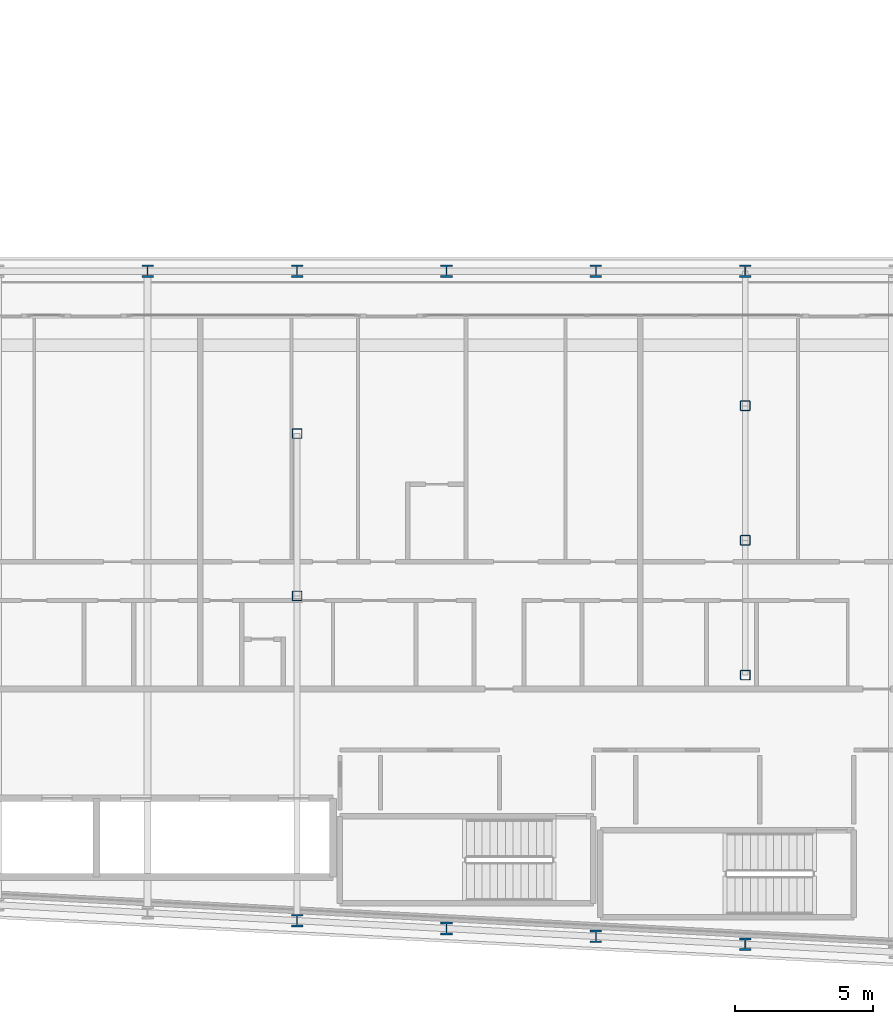
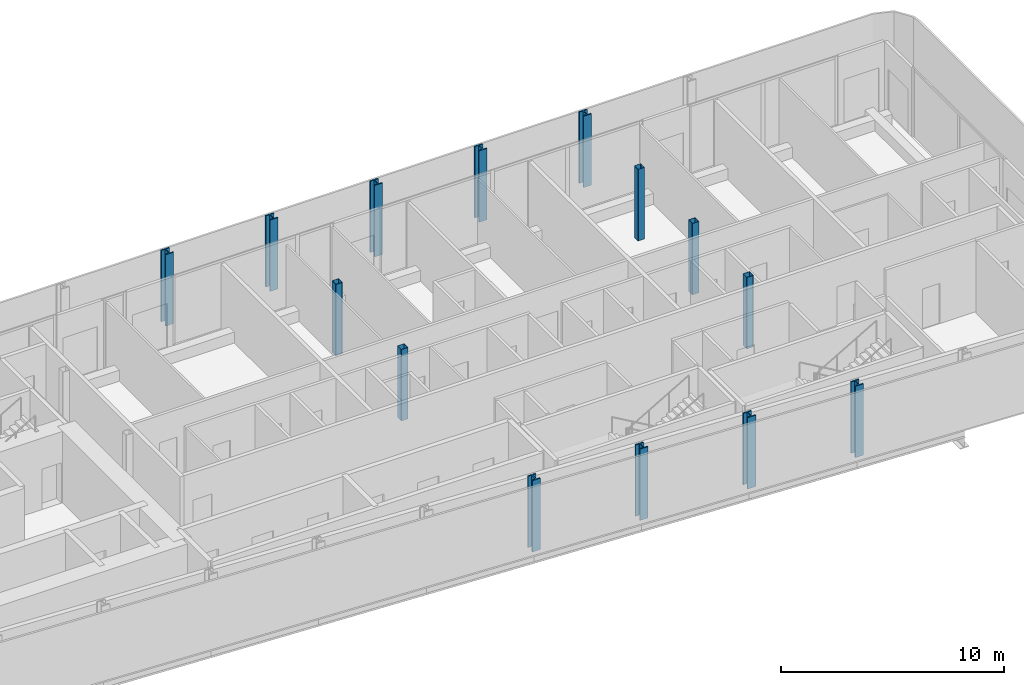
# One storey, part 2 of 28: 14 columns.
"""IFC4 building model written with IfcOpenShell, lengths in metres."""

from ifc_helpers import new_model, si_unit, direction, frame, origin, origin_2d, place, context, subcontext, project, spatial, hollow_rectangle, i_section, extrude, material, material_profile, profile_set, type_object, element, save


model = new_model("IFC4")

# Units and contexts
model_context = context("Model", 3, precision=1e-05, world=origin(), true_north=direction((0.0, 1.0)))
body_context = subcontext(model_context, "Body", "Model", "MODEL_VIEW")
ifc_project = project(units=[si_unit("LENGTHUNIT", "METRE"), si_unit("AREAUNIT", "SQUARE_METRE"), si_unit("VOLUMEUNIT", "CUBIC_METRE"), si_unit("PLANEANGLEUNIT", "RADIAN"), si_unit("MASSUNIT", "GRAM", prefix="KILO")], contexts=[model_context])

# Site, building, storey
site_placement = place(None, origin())
site = spatial("IfcSite", under=ifc_project, at=site_placement, CompositionType="ELEMENT")
building_placement = place(site_placement, origin())
building = spatial("IfcBuilding", under=site, at=building_placement, Name="Kheshtan School and Residences Tower", CompositionType="ELEMENT")
storey_placement = place(building_placement, frame((0.0, 0.0, 133.10009765625)))
storey = spatial("IfcBuildingStorey", under=building, at=storey_placement, Name="L31", CompositionType="ELEMENT", Elevation=133.10009765625)

# Columns
ifc_material_1 = material(Name="Steel ASTM A992 Grade 50", Category="steel")
ifc_material_profile_1 = material_profile(ifc_material_1, i_section(OverallWidth=0.41796875, OverallDepth=0.455078125, WebThickness=0.042236328125, FlangeThickness=0.067626953125, FilletRadius=0.013671875, at=origin_2d()), Name="W360x551")
ifc_profile_set_1 = profile_set([ifc_material_profile_1], Name="Steel ASTM A992 Grade 50")
column_type_1 = type_object("IfcColumnType", Name="Column C2 W360x551 ASTM A992 Grade 50", PredefinedType="COLUMN", material=ifc_profile_set_1)
for number, where, z_axis, x_axis, name in (
    (1, (85.39990234375, 21.27392578125, 0.0), (0.0, 0.0, 1.0), (1.0, 0.0, 0.0), "Column C008"),
    (2, (80.0, 21.55810546875, 0.0), (0.0, 0.0, 1.0), (1.0, 0.0, 0.0), "Column C012"),
    (3, (74.60009765625, 21.843017578125, 0.0), (0.0, 0.0, 1.0), (1.0, 0.0, 0.0), "Column C013"),
    (4, (69.199951171875, 22.126953125, 0.0), (0.0, 0.0, 1.0), (1.0, 0.0, 0.0), "Column C014"),
    (5, (63.800048828125, 45.60009765625, 0.0), (0.0, 0.0, 1.0), (1.0, 0.0, 0.0), "Column C063"),
    (6, (69.199951171875, 45.60009765625, 0.0), (0.0, 0.0, 1.0), (1.0, 0.0, 0.0), "Column C064"),
    (7, (74.60009765625, 45.60009765625, 0.0), (0.0, 0.0, 1.0), (1.0, 0.0, 0.0), "Column C065"),
    (8, (80.0, 45.60009765625, 0.0), (0.0, 0.0, 1.0), (1.0, 0.0, 0.0), "Column C066"),
    (9, (85.39990234375, 45.60009765625, 0.0), (0.0, 0.0, 1.0), (1.0, 0.0, 0.0), "Column C067"),
):
    element("IfcColumn", number, at=place(storey_placement, frame(where, z_axis=z_axis, x_axis=x_axis)), inside=storey, type_object=column_type_1, Name=name, PredefinedType="COLUMN", context=body_context, shape_type="SweptSolid", body=[
        extrude(i_section(OverallWidth=0.41796875, OverallDepth=0.455078125, WebThickness=0.042236328125, FlangeThickness=0.067626953125, FilletRadius=0.013671875, at=origin_2d()), origin(), (0.0, 0.0, 1.0), 3.89990234375),
    ])
ifc_material_2 = material(Name="Steel ASTM A500 Grade C", Category="steel")
ifc_material_profile_2 = material_profile(ifc_material_2, hollow_rectangle(XDim=0.35595703125, YDim=0.35595703125, WallThickness=0.015869140625, InnerFilletRadius=0.015869140625, OuterFilletRadius=0.03173828125, at=origin_2d()), Name="HSS 356x356x15.9")
ifc_profile_set_2 = profile_set([ifc_material_profile_2], Name="Steel ASTM A500 Grade C")
column_type_2 = type_object("IfcColumnType", Name="Column IC1 HSS 356x356x15.9 ASTM A500 Grade C", PredefinedType="COLUMN", material=ifc_profile_set_2)
for number, where, z_axis, x_axis, name in (
    (10, (85.39990234375, 31.0048828125, 0.0), (0.0, 0.0, 1.0), (1.0, 0.0, 0.0), "Column C049"),
    (11, (69.199951171875, 33.863037109375, 0.0), (0.0, 0.0, 1.0), (1.0, 0.0, 0.0), "Column C050"),
    (12, (85.39990234375, 35.8701171875, 0.0), (0.0, 0.0, 1.0), (1.0, 0.0, 0.0), "Column C053"),
    (13, (69.199951171875, 39.73193359375, 0.0), (0.0, 0.0, 1.0), (1.0, 0.0, 0.0), "Column C054"),
    (14, (85.39990234375, 40.735107421875, 0.0), (0.0, 0.0, 1.0), (1.0, 0.0, 0.0), "Column C057"),
):
    element("IfcColumn", number, at=place(storey_placement, frame(where, z_axis=z_axis, x_axis=x_axis)), inside=storey, type_object=column_type_2, Name=name, PredefinedType="COLUMN", context=body_context, shape_type="SweptSolid", body=[
        extrude(hollow_rectangle(XDim=0.35595703125, YDim=0.35595703125, WallThickness=0.015869140625, InnerFilletRadius=0.015869140625, OuterFilletRadius=0.03173828125, at=origin_2d()), origin(), (0.0, 0.0, 1.0), 3.89990234375),
    ])

save(model, "model.ifc")
